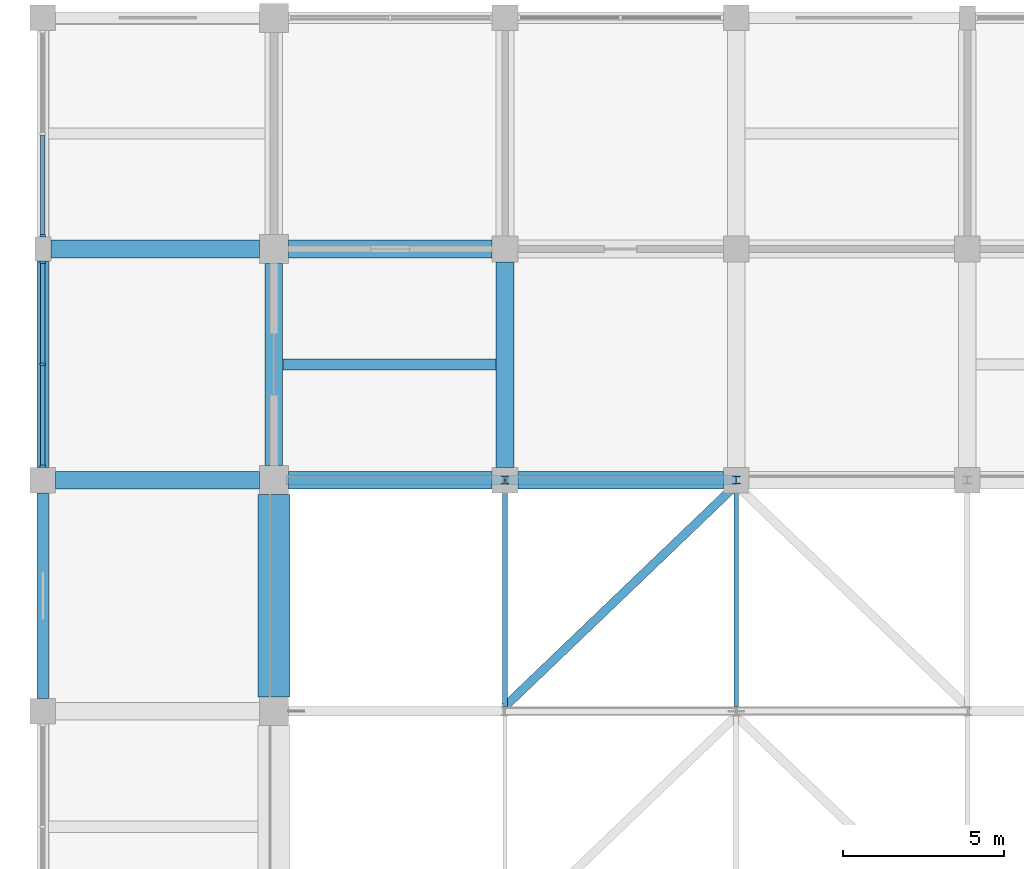
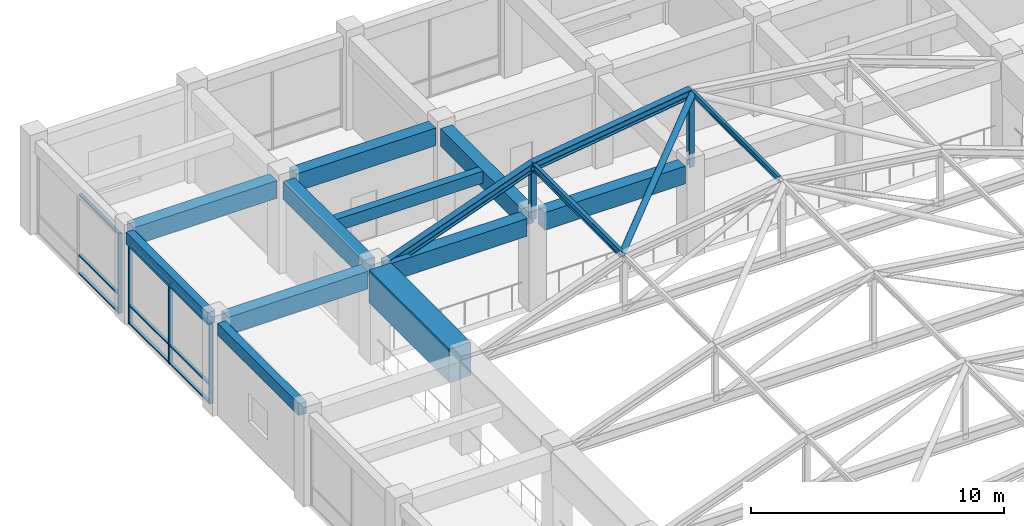
# One storey, part 24 of 75: 20 members, 11 beams, 2 elements without a shape of their own.
"""IFC4 building model written with IfcOpenShell, lengths in metres."""

from ifc_helpers import new_model, si_unit, direction, frame, origin, origin_2d, place, context, subcontext, project, spatial, rectangle, hollow_circle, i_section, extrude, material, layer, layer_set, material_profile, profile_set, type_object, element, aggregate, save


model = new_model("IFC4")

# Units and contexts
model_context = context("Model", 3, precision=1e-05, world=origin(), true_north=direction((0.0, 1.0)))
body_context = subcontext(model_context, "Body", "Model", "MODEL_VIEW")
ifc_project = project(units=[si_unit("LENGTHUNIT", "METRE"), si_unit("AREAUNIT", "SQUARE_METRE"), si_unit("VOLUMEUNIT", "CUBIC_METRE"), si_unit("PLANEANGLEUNIT", "RADIAN"), si_unit("MASSUNIT", "GRAM", prefix="KILO")], contexts=[model_context])

# Site, building, storey
site_placement = place(None, origin())
site = spatial("IfcSite", under=ifc_project, at=site_placement, CompositionType="ELEMENT")
building_placement = place(site_placement, origin())
building = spatial("IfcBuilding", under=site, at=building_placement, Name="Cendaluz Park School", CompositionType="ELEMENT")
storey_placement = place(building_placement, frame((0.0, 0.0, 4.800048828125)))
storey = spatial("IfcBuildingStorey", under=building, at=storey_placement, Name="L01", CompositionType="ELEMENT", Elevation=4.800048828125)

# Beams
ifc_material_1 = material(Name="Concrete C40/50", Category="concrete")
ifc_material_profile_1 = material_profile(ifc_material_1, rectangle(XDim=0.550048828125, YDim=0.85009765625, at=origin_2d()), Name="RC 550x850", Category="concrete")
ifc_profile_set_1 = profile_set([ifc_material_profile_1], Name="Concrete C40/50")
beam_type_1 = type_object("IfcBeamType", Name="BM-RC01", PredefinedType="BEAM", material=ifc_profile_set_1)
beam_1_placement = place(storey_placement, frame((0.39990234375, 100.800048828125, 4.0048828125), z_axis=(1.0, 0.0, 0.0), x_axis=(0.0, 1.0, 0.0)))
element("IfcBeam", 1, at=beam_1_placement, inside=storey, type_object=beam_type_1, Name="BM-L01-BMRC01-0012", PredefinedType="BEAM", context=body_context, shape_type="SweptSolid", body=[
    extrude(rectangle(XDim=0.550048828125, YDim=0.85009765625, at=origin_2d()), origin(), (0.0, 0.0, 1.0), 6.35009765625),
])
beam_2_placement = place(storey_placement, frame((0.25, 108.0, 4.0048828125), z_axis=(1.0, 0.0, 0.0), x_axis=(0.0, 1.0, 0.0)))
element("IfcBeam", 2, at=beam_2_placement, inside=storey, type_object=beam_type_1, Name="BM-L01-BMRC01-0013", PredefinedType="BEAM", context=body_context, shape_type="SweptSolid", body=[
    extrude(rectangle(XDim=0.550048828125, YDim=0.85009765625, at=origin_2d()), origin(), (0.0, 0.0, 1.0), 6.5),
])
for number, where, z_axis, x_axis, name in (
    (3, (7.64990234375, 100.800048828125, 4.0048828125), (1.0, 0.0, 0.0), (0.0, 1.0, 0.0), "BM-L01-BMRC01-0021"),
    (4, (7.64990234375, 108.0, 4.0048828125), (1.0, 0.0, 0.0), (0.0, 1.0, 0.0), "BM-L01-BMRC01-0022"),
):
    element("IfcBeam", number, at=place(storey_placement, frame(where, z_axis=z_axis, x_axis=x_axis)), inside=storey, type_object=beam_type_1, Name=name, PredefinedType="BEAM", context=body_context, shape_type="SweptSolid", body=[
        extrude(rectangle(XDim=0.550048828125, YDim=0.85009765625, at=origin_2d()), origin(), (0.0, 0.0, 1.0), 6.35009765625),
    ])
beam_3_placement = place(storey_placement, frame((14.800048828125, 100.800048828125, 4.0048828125), z_axis=(1.0, 0.0, 0.0), x_axis=(0.0, 1.0, 0.0)))
element("IfcBeam", 5, at=beam_3_placement, inside=storey, type_object=beam_type_1, Name="BM-L01-BMRC01-0030", PredefinedType="BEAM", context=body_context, shape_type="SweptSolid", body=[
    extrude(rectangle(XDim=0.550048828125, YDim=0.85009765625, at=origin_2d()), origin(), (0.0, 0.0, 1.0), 6.39990234375),
])
beam_4_placement = place(storey_placement, frame((7.199951171875, 101.25, 4.0048828125), z_axis=(0.0, 1.0, 0.0), x_axis=(-1.0, 0.0, 0.0)))
element("IfcBeam", 6, at=beam_4_placement, inside=storey, type_object=beam_type_1, Name="BM-L01-BMRC01-0247", PredefinedType="BEAM", context=body_context, shape_type="SweptSolid", body=[
    extrude(rectangle(XDim=0.550048828125, YDim=0.85009765625, at=origin_2d()), origin(), (0.0, 0.0, 1.0), 6.300048828125),
])
beam_5_placement = place(storey_placement, frame((14.39990234375, 101.199951171875, 4.0048828125), z_axis=(0.0, 1.0, 0.0), x_axis=(-1.0, 0.0, 0.0)))
element("IfcBeam", 7, at=beam_5_placement, inside=storey, type_object=beam_type_1, Name="BM-L01-BMRC01-0253", PredefinedType="BEAM", context=body_context, shape_type="SweptSolid", body=[
    extrude(rectangle(XDim=0.550048828125, YDim=0.85009765625, at=origin_2d()), origin(), (0.0, 0.0, 1.0), 6.400146484375),
])
ifc_material_profile_2 = material_profile(ifc_material_1, rectangle(XDim=0.35009765625, YDim=0.580078125, at=origin_2d()), Name="RC 350x580", Category="concrete")
ifc_profile_set_2 = profile_set([ifc_material_profile_2], Name="Concrete C40/50")
beam_type_2 = type_object("IfcBeamType", Name="BM-RC04", PredefinedType="LINTEL", material=ifc_profile_set_2)
beam_6_placement = place(storey_placement, frame((0.0, 94.0, 4.139892578125), z_axis=(0.0, 1.0, 0.0), x_axis=(-1.0, 0.0, 0.0)))
element("IfcBeam", 8, at=beam_6_placement, inside=storey, type_object=beam_type_2, Name="BM-L01-BMRC04-0234", PredefinedType="LINTEL", context=body_context, shape_type="SweptSolid", body=[
    extrude(rectangle(XDim=0.35009765625, YDim=0.580078125, at=origin_2d()), origin(), (0.0, 0.0, 1.0), 6.39990234375),
])
beam_7_placement = place(storey_placement, frame((0.0, 101.199951171875, 4.139892578125), z_axis=(0.0, 1.0, 0.0), x_axis=(-1.0, 0.0, 0.0)))
element("IfcBeam", 9, at=beam_7_placement, inside=storey, type_object=beam_type_2, Name="BM-L01-BMRC04-0235", PredefinedType="LINTEL", context=body_context, shape_type="SweptSolid", body=[
    extrude(rectangle(XDim=0.35009765625, YDim=0.580078125, at=origin_2d()), origin(), (0.0, 0.0, 1.0), 6.425048828125),
])

# Curtain wall, members
ifc_material_2 = material(Name="Anodised Aluminium 6063-T6", Category="aluminium")
ifc_layer = layer(ifc_material_2, 0.179931640625)
ifc_layer_set = layer_set([ifc_layer], Name="Anodised Aluminium 6063-T6")
curtain_wall_type = type_object("IfcCurtainWallType", Name="CW-128x77", PredefinedType="NOTDEFINED", material=ifc_layer_set)
curtain_wall_1_placement = place(storey_placement, origin())
curtain_wall_1 = element("IfcCurtainWall", 10, at=curtain_wall_1_placement, inside=storey, type_object=curtain_wall_type, Name="CW-L01-010", PredefinedType="NOTDEFINED")
ifc_material_profile_3 = material_profile(ifc_material_2, rectangle(XDim=0.179931640625, YDim=0.070068359375, at=origin_2d()), Name="CWM 180x70", Category="aluminium")
ifc_profile_set_3 = profile_set([ifc_material_profile_3], Name="Anodised Aluminium 6063-T6")
member_type_1 = type_object("IfcMemberType", Name="CWM-01", PredefinedType="MULLION", material=ifc_profile_set_3)
member_1_placement = place(storey_placement, frame((0.0, 101.235107421875, 0.0), z_axis=(0.0, 0.0, 1.0), x_axis=(-1.0, 0.0, 0.0)))
member_1 = element("IfcMember", 11, at=member_1_placement, type_object=member_type_1, Name="CP-L01-0118", PredefinedType="MULLION", context=body_context, shape_type="SweptSolid", body=[
    extrude(rectangle(XDim=0.179931640625, YDim=0.070068359375, at=origin_2d()), origin(), (0.0, 0.0, 1.0), 3.849853515625),
])
member_2_placement = place(storey_placement, frame((0.0, 104.41259765625, 0.0), z_axis=(0.0, 0.0, 1.0), x_axis=(-1.0, 0.0, 0.0)))
member_2 = element("IfcMember", 12, at=member_2_placement, type_object=member_type_1, Name="CP-L01-0119", PredefinedType="MULLION", context=body_context, shape_type="SweptSolid", body=[
    extrude(rectangle(XDim=0.179931640625, YDim=0.070068359375, at=origin_2d()), origin(), (0.0, 0.0, 1.0), 3.849853515625),
])
member_3_placement = place(storey_placement, frame((0.0, 107.590087890625, 0.0), z_axis=(0.0, 0.0, 1.0), x_axis=(-1.0, 0.0, 0.0)))
member_3 = element("IfcMember", 13, at=member_3_placement, type_object=member_type_1, Name="CP-L01-0120", PredefinedType="MULLION", context=body_context, shape_type="SweptSolid", body=[
    extrude(rectangle(XDim=0.179931640625, YDim=0.070068359375, at=origin_2d()), origin(), (0.0, 0.0, 1.0), 3.849853515625),
])

# Curtain wall, member
curtain_wall_2_placement = place(storey_placement, origin())
curtain_wall_2 = element("IfcCurtainWall", 14, at=curtain_wall_2_placement, inside=storey, type_object=curtain_wall_type, Name="CW-L01-011", PredefinedType="NOTDEFINED")
member_4_placement = place(storey_placement, frame((0.0, 108.409912109375, 0.0), z_axis=(0.0, 0.0, 1.0), x_axis=(-1.0, 0.0, 0.0)))
member_4 = element("IfcMember", 15, at=member_4_placement, type_object=member_type_1, Name="CP-L01-0131", PredefinedType="MULLION", context=body_context, shape_type="SweptSolid", body=[
    extrude(rectangle(XDim=0.179931640625, YDim=0.070068359375, at=origin_2d()), origin(), (0.0, 0.0, 1.0), 3.849853515625),
])

# Member
ifc_material_profile_4 = material_profile(ifc_material_2, rectangle(XDim=0.139892578125, YDim=0.070068359375, at=origin_2d()), Name="CWT 140x70", Category="aluminium")
ifc_profile_set_4 = profile_set([ifc_material_profile_4], Name="Anodised Aluminium 6063-T6")
member_type_2 = type_object("IfcMemberType", Name="CWT-01", PredefinedType="USERDEFINED", material=ifc_profile_set_4)
member_5_placement = place(storey_placement, frame((0.0, 101.27001953125, 0.034912109375), z_axis=(0.0, 1.0, 0.0), x_axis=(-1.0, 0.0, 0.0)))
member_5 = element("IfcMember", 16, at=member_5_placement, type_object=member_type_2, Name="CP-L01-0121", ObjectType="TRANSOM", PredefinedType="USERDEFINED", context=body_context, shape_type="SweptSolid", body=[
    extrude(rectangle(XDim=0.139892578125, YDim=0.070068359375, at=origin_2d()), origin(), (0.0, 0.0, 1.0), 3.107421875),
])

member_6_placement = place(storey_placement, frame((0.0, 101.27001953125, 0.89990234375), z_axis=(0.0, 1.0, 0.0), x_axis=(-1.0, 0.0, 0.0)))
member_6 = element("IfcMember", 17, at=member_6_placement, type_object=member_type_2, Name="CP-L01-0122", ObjectType="TRANSOM", PredefinedType="USERDEFINED", context=body_context, shape_type="SweptSolid", body=[
    extrude(rectangle(XDim=0.139892578125, YDim=0.070068359375, at=origin_2d()), origin(), (0.0, 0.0, 1.0), 3.107421875),
])

member_7_placement = place(storey_placement, frame((0.0, 101.27001953125, 3.81494140625), z_axis=(0.0, 1.0, 0.0), x_axis=(-1.0, 0.0, 0.0)))
member_7 = element("IfcMember", 18, at=member_7_placement, type_object=member_type_2, Name="CP-L01-0123", ObjectType="TRANSOM", PredefinedType="USERDEFINED", context=body_context, shape_type="SweptSolid", body=[
    extrude(rectangle(XDim=0.139892578125, YDim=0.070068359375, at=origin_2d()), origin(), (0.0, 0.0, 1.0), 3.107421875),
])

member_8_placement = place(storey_placement, frame((0.0, 104.447509765625, 0.034912109375), z_axis=(0.0, 1.0, 0.0), x_axis=(-1.0, 0.0, 0.0)))
member_8 = element("IfcMember", 19, at=member_8_placement, type_object=member_type_2, Name="CP-L01-0126", ObjectType="TRANSOM", PredefinedType="USERDEFINED", context=body_context, shape_type="SweptSolid", body=[
    extrude(rectangle(XDim=0.139892578125, YDim=0.070068359375, at=origin_2d()), origin(), (0.0, 0.0, 1.0), 3.107421875),
])

member_9_placement = place(storey_placement, frame((0.0, 104.447509765625, 0.89990234375), z_axis=(0.0, 1.0, 0.0), x_axis=(-1.0, 0.0, 0.0)))
member_9 = element("IfcMember", 20, at=member_9_placement, type_object=member_type_2, Name="CP-L01-0127", ObjectType="TRANSOM", PredefinedType="USERDEFINED", context=body_context, shape_type="SweptSolid", body=[
    extrude(rectangle(XDim=0.139892578125, YDim=0.070068359375, at=origin_2d()), origin(), (0.0, 0.0, 1.0), 3.107421875),
])

member_10_placement = place(storey_placement, frame((0.0, 104.447509765625, 3.81494140625), z_axis=(0.0, 1.0, 0.0), x_axis=(-1.0, 0.0, 0.0)))
member_10 = element("IfcMember", 21, at=member_10_placement, type_object=member_type_2, Name="CP-L01-0128", ObjectType="TRANSOM", PredefinedType="USERDEFINED", context=body_context, shape_type="SweptSolid", body=[
    extrude(rectangle(XDim=0.139892578125, YDim=0.070068359375, at=origin_2d()), origin(), (0.0, 0.0, 1.0), 3.107421875),
])

aggregate(curtain_wall_1, [member_1, member_2, member_3, member_5, member_6, member_7, member_8, member_9, member_10])

member_11_placement = place(storey_placement, frame((0.0, 108.445068359375, 0.034912109375), z_axis=(0.0, 1.0, 0.0), x_axis=(-1.0, 0.0, 0.0)))
member_11 = element("IfcMember", 22, at=member_11_placement, type_object=member_type_2, Name="CP-L01-0134", ObjectType="TRANSOM", PredefinedType="USERDEFINED", context=body_context, shape_type="SweptSolid", body=[
    extrude(rectangle(XDim=0.139892578125, YDim=0.070068359375, at=origin_2d()), origin(), (0.0, 0.0, 1.0), 3.107421875),
])

member_12_placement = place(storey_placement, frame((0.0, 108.445068359375, 0.89990234375), z_axis=(0.0, 1.0, 0.0), x_axis=(-1.0, 0.0, 0.0)))
member_12 = element("IfcMember", 23, at=member_12_placement, type_object=member_type_2, Name="CP-L01-0135", ObjectType="TRANSOM", PredefinedType="USERDEFINED", context=body_context, shape_type="SweptSolid", body=[
    extrude(rectangle(XDim=0.139892578125, YDim=0.070068359375, at=origin_2d()), origin(), (0.0, 0.0, 1.0), 3.107421875),
])

member_13_placement = place(storey_placement, frame((0.0, 108.445068359375, 3.81494140625), z_axis=(0.0, 1.0, 0.0), x_axis=(-1.0, 0.0, 0.0)))
member_13 = element("IfcMember", 24, at=member_13_placement, type_object=member_type_2, Name="CP-L01-0136", ObjectType="TRANSOM", PredefinedType="USERDEFINED", context=body_context, shape_type="SweptSolid", body=[
    extrude(rectangle(XDim=0.139892578125, YDim=0.070068359375, at=origin_2d()), origin(), (0.0, 0.0, 1.0), 3.107421875),
])

aggregate(curtain_wall_2, [member_4, member_11, member_12, member_13])

# Beam
ifc_material_profile_5 = material_profile(ifc_material_1, rectangle(XDim=0.35009765625, YDim=0.580078125, at=origin_2d()), Name="RC 350x580", Category="concrete")
ifc_profile_set_5 = profile_set([ifc_material_profile_5], Name="Concrete C40/50")
beam_type_3 = type_object("IfcBeamType", Name="JT-RC01", PredefinedType="JOIST", material=ifc_profile_set_5)
beam_8_placement = place(storey_placement, frame((7.47509765625, 104.39990234375, 4.139892578125), z_axis=(1.0, 0.0, 0.0), x_axis=(0.0, 1.0, 0.0)))
element("IfcBeam", 25, at=beam_8_placement, inside=storey, type_object=beam_type_3, Name="BM-L01-JTRC01-0471", PredefinedType="JOIST", context=body_context, shape_type="SweptSolid", body=[
    extrude(rectangle(XDim=0.35009765625, YDim=0.580078125, at=origin_2d()), origin(), (0.0, 0.0, 1.0), 6.64990234375),
])

# Members
ifc_material_3 = material(Name="Steel S355", Category="steel")
ifc_material_profile_6 = material_profile(ifc_material_3, i_section(OverallWidth=0.300048828125, OverallDepth=0.39990234375, WebThickness=0.013916015625, FlangeThickness=0.02392578125, FilletRadius=0.027099609375, at=origin_2d()), Name="HEB 400", Category="steel")
ifc_profile_set_6 = profile_set([ifc_material_profile_6], Name="Steel S355")
member_type_3 = type_object("IfcMemberType", Name="MB-CH01", PredefinedType="CHORD", material=ifc_profile_set_6)
member_14_placement = place(storey_placement, frame((7.64990234375, 100.800048828125, 4.219970703125), z_axis=(0.939102267455, 0.0, 0.343637790793), x_axis=(0.0, 1.0, 0.0)))
element("IfcMember", 26, at=member_14_placement, inside=storey, type_object=member_type_3, Name="MB-L01-MBCH01-0053", PredefinedType="CHORD", context=body_context, shape_type="SweptSolid", body=[
    extrude(i_section(OverallWidth=0.300048828125, OverallDepth=0.39990234375, WebThickness=0.013916015625, FlangeThickness=0.02392578125, FilletRadius=0.027099609375, at=origin_2d()), origin(), (0.0, 0.0, 1.0), 7.187744140625),
])
member_15_placement = place(storey_placement, frame((14.39990234375, 100.800048828125, 6.68994140625), z_axis=(0.990113994111, 0.0, 0.140265030089), x_axis=(0.0, 1.0, 0.0)))
element("IfcMember", 27, at=member_15_placement, inside=storey, type_object=member_type_3, Name="MB-L01-MBCH01-0054", PredefinedType="CHORD", context=body_context, shape_type="SweptSolid", body=[
    extrude(i_section(OverallWidth=0.300048828125, OverallDepth=0.39990234375, WebThickness=0.013916015625, FlangeThickness=0.02392578125, FilletRadius=0.027099609375, at=origin_2d()), origin(), (0.0, 0.0, 1.0), 7.27197265625),
])
ifc_material_profile_7 = material_profile(ifc_material_3, i_section(OverallWidth=0.135009765625, OverallDepth=0.27001953125, WebThickness=0.007080078125, FlangeThickness=0.010009765625, FilletRadius=0.014892578125, at=origin_2d()), Name="IPE 270", Category="steel")
ifc_profile_set_7 = profile_set([ifc_material_profile_7], Name="Steel S355")
member_type_4 = type_object("IfcMemberType", Name="MB-PR01", PredefinedType="PURLIN", material=ifc_profile_set_7)
member_16_placement = place(storey_placement, frame((21.60009765625, 93.75, 7.764892578125), z_axis=(0.0, 1.0, 0.0), x_axis=(-1.0, 0.0, 0.0)))
element("IfcMember", 28, at=member_16_placement, inside=storey, type_object=member_type_4, Name="MB-L01-MBPR01-0084", PredefinedType="PURLIN", context=body_context, shape_type="SweptSolid", body=[
    extrude(i_section(OverallWidth=0.135009765625, OverallDepth=0.27001953125, WebThickness=0.007080078125, FlangeThickness=0.010009765625, FilletRadius=0.014892578125, at=origin_2d()), origin(), (0.0, 0.0, 1.0), 6.89990234375),
])
ifc_material_profile_8 = material_profile(ifc_material_3, i_section(OverallWidth=0.159912109375, OverallDepth=0.330078125, WebThickness=0.008056640625, FlangeThickness=0.011962890625, FilletRadius=0.01806640625, at=origin_2d()), Name="IPE 330", Category="steel")
ifc_profile_set_8 = profile_set([ifc_material_profile_8], Name="Steel S355")
member_type_5 = type_object("IfcMemberType", Name="MB-PR02", PredefinedType="PURLIN", material=ifc_profile_set_8)
member_17_placement = place(storey_placement, frame((14.39990234375, 93.75, 6.704833984375), z_axis=(0.0, 1.0, 0.0), x_axis=(-1.0, 0.0, 0.0)))
element("IfcMember", 29, at=member_17_placement, inside=storey, type_object=member_type_5, Name="MB-L01-MBPR02-0083", PredefinedType="PURLIN", context=body_context, shape_type="SweptSolid", body=[
    extrude(i_section(OverallWidth=0.159912109375, OverallDepth=0.330078125, WebThickness=0.008056640625, FlangeThickness=0.011962890625, FilletRadius=0.01806640625, at=origin_2d()), origin(), (0.0, 0.0, 1.0), 6.89990234375),
])
ifc_material_profile_9 = material_profile(ifc_material_3, hollow_circle(Radius=0.136474609375, WallThickness=0.011962890625, at=origin_2d()), Name="CHS 273x12", Category="steel")
ifc_profile_set_9 = profile_set([ifc_material_profile_9], Name="Steel S355")
member_type_6 = type_object("IfcMemberType", Name="MBR-01", PredefinedType="BRACE", material=ifc_profile_set_9)
member_18_placement = place(storey_placement, frame((14.39990234375, 93.75, 6.68994140625), z_axis=(0.718255132872, 0.688299422393, 0.101751998682), x_axis=(-0.691890474914, 0.722002472796, 0.0)))
element("IfcMember", 30, at=member_18_placement, inside=storey, type_object=member_type_6, Name="MB-L01-MBBR01-0086", PredefinedType="BRACE", context=body_context, shape_type="SweptSolid", body=[
    extrude(hollow_circle(Radius=0.136474609375, WallThickness=0.011962890625, at=origin_2d()), origin(), (0.0, 0.0, 1.0), 10.024658203125),
])
ifc_material_profile_10 = material_profile(ifc_material_3, i_section(OverallWidth=0.239990234375, OverallDepth=0.22998046875, WebThickness=0.008056640625, FlangeThickness=0.011962890625, FilletRadius=0.02099609375, at=origin_2d()), Name="HEA 240", Category="steel")
ifc_profile_set_10 = profile_set([ifc_material_profile_10], Name="Steel S355")
member_type_7 = type_object("IfcMemberType", Name="MST-01", PredefinedType="STRUT", material=ifc_profile_set_10)
member_19_placement = place(storey_placement, frame((14.39990234375, 100.800048828125, 4.14990234375), z_axis=(0.0, 0.0, 1.0), x_axis=(1.0, 0.0, 0.0)))
element("IfcMember", 31, at=member_19_placement, inside=storey, type_object=member_type_7, Name="MB-L01-MBST01-0057", PredefinedType="STRUT", context=body_context, shape_type="SweptSolid", body=[
    extrude(i_section(OverallWidth=0.239990234375, OverallDepth=0.22998046875, WebThickness=0.008056640625, FlangeThickness=0.011962890625, FilletRadius=0.02099609375, at=origin_2d()), origin(), (0.0, 0.0, 1.0), 2.5400390625),
])
member_20_placement = place(storey_placement, frame((21.60009765625, 100.800048828125, 4.14990234375), z_axis=(0.0, 0.0, 1.0), x_axis=(1.0, 0.0, 0.0)))
element("IfcMember", 32, at=member_20_placement, inside=storey, type_object=member_type_7, Name="MB-L01-MBST01-0058", PredefinedType="STRUT", context=body_context, shape_type="SweptSolid", body=[
    extrude(i_section(OverallWidth=0.239990234375, OverallDepth=0.22998046875, WebThickness=0.008056640625, FlangeThickness=0.011962890625, FilletRadius=0.02099609375, at=origin_2d()), origin(), (0.0, 0.0, 1.0), 3.56005859375),
])

# Beam
ifc_material_profile_11 = material_profile(ifc_material_1, rectangle(XDim=1.0, YDim=1.60009765625, at=origin_2d()), Name="RC 1000x1600", Category="concrete")
ifc_profile_set_11 = profile_set([ifc_material_profile_11], Name="Concrete C40/50")
beam_type_4 = type_object("IfcBeamType", Name="TG-RC01", PredefinedType="BEAM", material=ifc_profile_set_11)
beam_9_placement = place(storey_placement, frame((7.199951171875, 94.050048828125, 3.820068359375), z_axis=(0.0, 1.0, 0.0), x_axis=(-1.0, 0.0, 0.0)))
element("IfcBeam", 33, at=beam_9_placement, inside=storey, type_object=beam_type_4, Name="Barrel Vault Collector Girder BM-L01-TGRC01-0246", PredefinedType="BEAM", context=body_context, shape_type="SweptSolid", body=[
    extrude(rectangle(XDim=1.0, YDim=1.60009765625, at=origin_2d()), origin(), (0.0, 0.0, 1.0), 6.300048828125),
])

save(model, "model.ifc")
